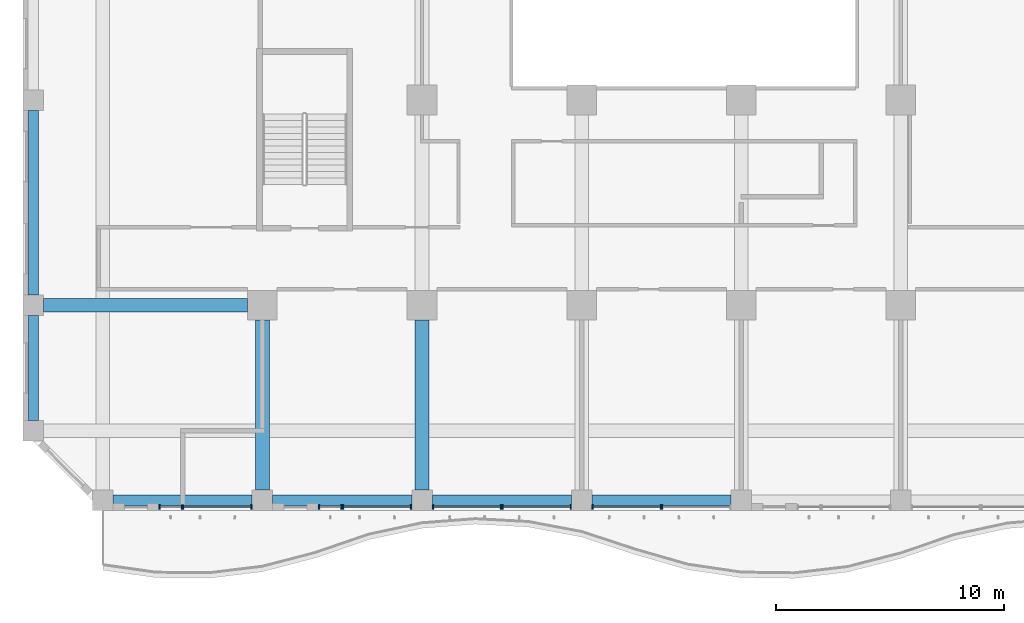
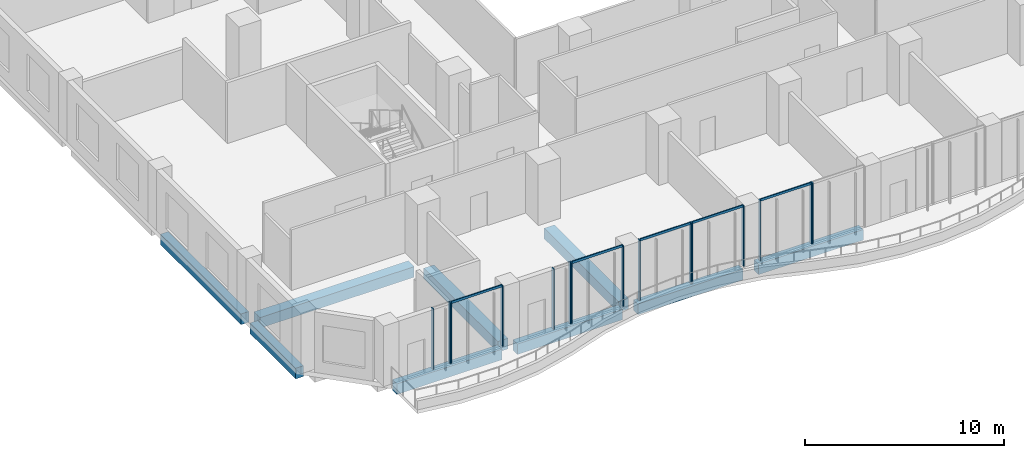
# One storey, part 2 of 27: 20 members, 9 beams, 8 elements without a shape of their own.
"""IFC4 building model written with IfcOpenShell, lengths in metres."""

from ifc_helpers import new_model, si_unit, direction, frame, origin, origin_2d, place, context, subcontext, project, spatial, rectangle, extrude, source, transform, mapped, material, material_profile, profile_set, type_object, element, aggregate, save


model = new_model("IFC4")

# Units and contexts
model_context = context("Model", 3, precision=1e-05, world=origin(), true_north=direction((0.0, 1.0)))
body_context = subcontext(model_context, "Body", "Model", "MODEL_VIEW")
ifc_project = project(units=[si_unit("LENGTHUNIT", "METRE"), si_unit("AREAUNIT", "SQUARE_METRE"), si_unit("VOLUMEUNIT", "CUBIC_METRE"), si_unit("PLANEANGLEUNIT", "RADIAN"), si_unit("MASSUNIT", "GRAM", prefix="KILO")], contexts=[model_context])

# Site, building, storey
site_placement = place(None, origin())
site = spatial("IfcSite", under=ifc_project, at=site_placement, CompositionType="ELEMENT")
building_placement = place(site_placement, origin())
building = spatial("IfcBuilding", under=site, at=building_placement, Name="Kilnfold Tower and Market Hall", CompositionType="ELEMENT")
storey_placement = place(building_placement, frame((0.0, 0.0, 51.0)))
storey = spatial("IfcBuildingStorey", under=building, at=storey_placement, Name="L11", CompositionType="ELEMENT", Elevation=51.0)

# Beams
ifc_material_1 = material(Name="Concrete C45", Category="concrete")
ifc_material_profile_1 = material_profile(ifc_material_1, rectangle(XDim=0.449951171875, YDim=0.64990234375, at=origin_2d()), Name="RC 450x650")
ifc_profile_set_1 = profile_set([ifc_material_profile_1], Name="Concrete C45")
beam_type_1 = type_object("IfcBeamType", Name="EDGE BEAM 450X650 C45", PredefinedType="BEAM", material=ifc_profile_set_1)
shared_shape_1 = source(origin(), body_context, "Body", "SweptSolid", [
    extrude(rectangle(XDim=0.449951171875, YDim=0.64990234375, at=origin_2d()), origin(), (0.0, 0.0, 1.0), 6.10009765625),
])
for number, where, z_axis, x_axis, name in (
    (1, (-24.050048828125, -27.550048828125, -0.60498046875), (1.0, 0.0, 0.0), (0.0, 1.0, 0.0), "Beam EB650-B1.1"),
    (2, (-17.050048828125, -27.550048828125, -0.60498046875), (1.0, 0.0, 0.0), (0.0, 1.0, 0.0), "Beam EB650-B1.54"),
    (3, (-10.050048828125, -27.550048828125, -0.60498046875), (1.0, 0.0, 0.0), (0.0, 1.0, 0.0), "Beam EB650-B1.2"),
    (4, (-3.050048828125, -27.550048828125, -0.60498046875), (1.0, 0.0, 0.0), (0.0, 1.0, 0.0), "Beam EB650-B1.3"),
):
    element("IfcBeam", number, at=place(storey_placement, frame(where, z_axis=z_axis, x_axis=x_axis)), inside=storey, type_object=beam_type_1, Name=name, PredefinedType="BEAM", context=body_context, shape_type="MappedRepresentation", body=[
        mapped(shared_shape_1, transform((0.0, 0.0, 0.0))),
    ])
ifc_material_2 = material(Name="Concrete C45", Category="concrete")
ifc_material_profile_2 = material_profile(ifc_material_2, rectangle(XDim=0.60009765625, YDim=0.64990234375, at=origin_2d()), Name="RC 600x650")
ifc_profile_set_2 = profile_set([ifc_material_profile_2], Name="Concrete C45")
beam_type_2 = type_object("IfcBeamType", Name="BEAM 600X650 C45", PredefinedType="BEAM", material=ifc_profile_set_2)
shared_shape_2 = source(origin(), body_context, "Body", "SweptSolid", [
    extrude(rectangle(XDim=0.60009765625, YDim=0.64990234375, at=origin_2d()), origin(), (0.0, 0.0, 1.0), 8.9501953125),
])
beam_1_placement = place(storey_placement, frame((-27.10009765625, -19.0, -0.60498046875), z_axis=(1.0, 0.0, 0.0), x_axis=(0.0, 1.0, 0.0)))
element("IfcBeam", 5, at=beam_1_placement, inside=storey, type_object=beam_type_2, Name="Beam BB650-B1.7", PredefinedType="BEAM", context=body_context, shape_type="MappedRepresentation", body=[
    mapped(shared_shape_2, transform((0.0, 0.0, 0.0))),
])
shared_shape_3 = source(origin(), body_context, "Body", "SweptSolid", [
    extrude(rectangle(XDim=0.449951171875, YDim=0.64990234375, at=origin_2d()), origin(), (0.0, 0.0, 1.0), 4.60009765625),
])
beam_2_placement = place(storey_placement, frame((-27.550048828125, -24.050048828125, -0.60498046875), z_axis=(0.0, 1.0, 0.0), x_axis=(-1.0, 0.0, 0.0)))
element("IfcBeam", 6, at=beam_2_placement, inside=storey, type_object=beam_type_1, Name="Beam EB650-B1.30", PredefinedType="BEAM", context=body_context, shape_type="MappedRepresentation", body=[
    mapped(shared_shape_3, transform((0.0, 0.0, 0.0))),
])
shared_shape_4 = source(origin(), body_context, "Body", "SweptSolid", [
    extrude(rectangle(XDim=0.449951171875, YDim=0.64990234375, at=origin_2d()), origin(), (0.0, 0.0, 1.0), 8.10009765625),
])
beam_3_placement = place(storey_placement, frame((-27.550048828125, -18.550048828125, -0.60498046875), z_axis=(0.0, 1.0, 0.0), x_axis=(-1.0, 0.0, 0.0)))
element("IfcBeam", 7, at=beam_3_placement, inside=storey, type_object=beam_type_1, Name="Beam EB650-B1.31", PredefinedType="BEAM", context=body_context, shape_type="MappedRepresentation", body=[
    mapped(shared_shape_4, transform((0.0, 0.0, 0.0))),
])
shared_shape_5 = source(origin(), body_context, "Body", "SweptSolid", [
    extrude(rectangle(XDim=0.60009765625, YDim=0.64990234375, at=origin_2d()), origin(), (0.0, 0.0, 1.0), 7.4501953125),
])
for number, where, z_axis, x_axis, name in (
    (8, (-17.5, -27.10009765625, -0.60498046875), (0.0, 1.0, 0.0), (-1.0, 0.0, 0.0), "Beam BB650-B1.36"),
    (9, (-10.5, -27.10009765625, -0.60498046875), (0.0, 1.0, 0.0), (-1.0, 0.0, 0.0), "Beam BB650-B1.40"),
):
    element("IfcBeam", number, at=place(storey_placement, frame(where, z_axis=z_axis, x_axis=x_axis)), inside=storey, type_object=beam_type_2, Name=name, PredefinedType="BEAM", context=body_context, shape_type="MappedRepresentation", body=[
        mapped(shared_shape_5, transform((0.0, 0.0, 0.0))),
    ])

# Curtain wall, members
ifc_material_3 = material(Name="Aluminium and double glazing", Category="aluminium")
curtain_wall_type = type_object("IfcCurtainWallType", Name="CW OF1 VALLEY GLAZING", PredefinedType="NOTDEFINED", material=ifc_material_3)
curtain_wall_1_placement = place(storey_placement, origin())
curtain_wall_1 = element("IfcCurtainWall", 10, at=curtain_wall_1_placement, inside=storey, type_object=curtain_wall_type, Name="Curtain wall CW1 L11 S", PredefinedType="NOTDEFINED")
ifc_material_4 = material(Name="Aluminium", Category="aluminium")
ifc_material_profile_3 = material_profile(ifc_material_4, rectangle(XDim=0.06005859375, YDim=0.179931640625, at=origin_2d()), Name="MULLION 60x180")
ifc_profile_set_3 = profile_set([ifc_material_profile_3], Name="Aluminium")
member_type_1 = type_object("IfcMemberType", Name="MULLION 60X180", PredefinedType="MULLION", material=ifc_profile_set_3)
shared_shape_6 = source(origin(), body_context, "Body", "SweptSolid", [
    extrude(rectangle(XDim=0.06005859375, YDim=0.179931640625, at=origin_2d()), origin(), (0.0, 0.0, 1.0), 3.719970703125),
])
member_1_placement = place(storey_placement, frame((-22.02001953125, -27.85009765625, 0.0), z_axis=(0.0, 0.0, 1.0), x_axis=(1.0, 0.0, 0.0)))
member_1 = element("IfcMember", 11, at=member_1_placement, type_object=member_type_1, Name="CW1 mullion 1", PredefinedType="MULLION", context=body_context, shape_type="MappedRepresentation", body=[
    mapped(shared_shape_6, transform((0.0, 0.0, 0.0))),
])
member_2_placement = place(storey_placement, frame((-21.030029296875, -27.85009765625, 0.0), z_axis=(0.0, 0.0, 1.0), x_axis=(1.0, 0.0, 0.0)))
member_2 = element("IfcMember", 12, at=member_2_placement, type_object=member_type_1, Name="CW1 mullion 2", PredefinedType="MULLION", context=body_context, shape_type="MappedRepresentation", body=[
    mapped(shared_shape_6, transform((0.0, 0.0, 0.0))),
])
aggregate(curtain_wall_1, [member_1, member_2])

curtain_wall_2_placement = place(storey_placement, origin())
curtain_wall_2 = element("IfcCurtainWall", 13, at=curtain_wall_2_placement, inside=storey, type_object=curtain_wall_type, Name="Curtain wall CW1 L11 S", PredefinedType="NOTDEFINED")
member_3_placement = place(storey_placement, frame((-20.969970703125, -27.85009765625, 0.0), z_axis=(0.0, 0.0, 1.0), x_axis=(1.0, 0.0, 0.0)))
member_3 = element("IfcMember", 14, at=member_3_placement, type_object=member_type_1, Name="CW1 mullion 1", PredefinedType="MULLION", context=body_context, shape_type="MappedRepresentation", body=[
    mapped(shared_shape_6, transform((0.0, 0.0, 0.0))),
])
member_4_placement = place(storey_placement, frame((-17.97998046875, -27.85009765625, 0.0), z_axis=(0.0, 0.0, 1.0), x_axis=(1.0, 0.0, 0.0)))
member_4 = element("IfcMember", 15, at=member_4_placement, type_object=member_type_1, Name="CW1 mullion 2", PredefinedType="MULLION", context=body_context, shape_type="MappedRepresentation", body=[
    mapped(shared_shape_6, transform((0.0, 0.0, 0.0))),
])

curtain_wall_3_placement = place(storey_placement, origin())
curtain_wall_3 = element("IfcCurtainWall", 16, at=curtain_wall_3_placement, inside=storey, type_object=curtain_wall_type, Name="Curtain wall CW1 L11 S", PredefinedType="NOTDEFINED")
member_5_placement = place(storey_placement, frame((-15.02001953125, -27.85009765625, 0.0), z_axis=(0.0, 0.0, 1.0), x_axis=(1.0, 0.0, 0.0)))
member_5 = element("IfcMember", 17, at=member_5_placement, type_object=member_type_1, Name="CW1 mullion 1", PredefinedType="MULLION", context=body_context, shape_type="MappedRepresentation", body=[
    mapped(shared_shape_6, transform((0.0, 0.0, 0.0))),
])
member_6_placement = place(storey_placement, frame((-14.030029296875, -27.85009765625, 0.0), z_axis=(0.0, 0.0, 1.0), x_axis=(1.0, 0.0, 0.0)))
member_6 = element("IfcMember", 18, at=member_6_placement, type_object=member_type_1, Name="CW1 mullion 2", PredefinedType="MULLION", context=body_context, shape_type="MappedRepresentation", body=[
    mapped(shared_shape_6, transform((0.0, 0.0, 0.0))),
])
aggregate(curtain_wall_3, [member_5, member_6])

curtain_wall_4_placement = place(storey_placement, origin())
curtain_wall_4 = element("IfcCurtainWall", 19, at=curtain_wall_4_placement, inside=storey, type_object=curtain_wall_type, Name="Curtain wall CW1 L11 S", PredefinedType="NOTDEFINED")
member_7_placement = place(storey_placement, frame((-13.969970703125, -27.85009765625, 0.0), z_axis=(0.0, 0.0, 1.0), x_axis=(1.0, 0.0, 0.0)))
member_7 = element("IfcMember", 20, at=member_7_placement, type_object=member_type_1, Name="CW1 mullion 1", PredefinedType="MULLION", context=body_context, shape_type="MappedRepresentation", body=[
    mapped(shared_shape_6, transform((0.0, 0.0, 0.0))),
])
member_8_placement = place(storey_placement, frame((-10.97998046875, -27.85009765625, 0.0), z_axis=(0.0, 0.0, 1.0), x_axis=(1.0, 0.0, 0.0)))
member_8 = element("IfcMember", 21, at=member_8_placement, type_object=member_type_1, Name="CW1 mullion 2", PredefinedType="MULLION", context=body_context, shape_type="MappedRepresentation", body=[
    mapped(shared_shape_6, transform((0.0, 0.0, 0.0))),
])

curtain_wall_5_placement = place(storey_placement, origin())
curtain_wall_5 = element("IfcCurtainWall", 22, at=curtain_wall_5_placement, inside=storey, type_object=curtain_wall_type, Name="Curtain wall CW1 L11 S", PredefinedType="NOTDEFINED")
member_9_placement = place(storey_placement, frame((-10.02001953125, -27.85009765625, 0.0), z_axis=(0.0, 0.0, 1.0), x_axis=(1.0, 0.0, 0.0)))
member_9 = element("IfcMember", 23, at=member_9_placement, type_object=member_type_1, Name="CW1 mullion 1", PredefinedType="MULLION", context=body_context, shape_type="MappedRepresentation", body=[
    mapped(shared_shape_6, transform((0.0, 0.0, 0.0))),
])
member_10_placement = place(storey_placement, frame((-7.030029296875, -27.85009765625, 0.0), z_axis=(0.0, 0.0, 1.0), x_axis=(1.0, 0.0, 0.0)))
member_10 = element("IfcMember", 24, at=member_10_placement, type_object=member_type_1, Name="CW1 mullion 2", PredefinedType="MULLION", context=body_context, shape_type="MappedRepresentation", body=[
    mapped(shared_shape_6, transform((0.0, 0.0, 0.0))),
])

curtain_wall_6_placement = place(storey_placement, origin())
curtain_wall_6 = element("IfcCurtainWall", 25, at=curtain_wall_6_placement, inside=storey, type_object=curtain_wall_type, Name="Curtain wall CW1 L11 S", PredefinedType="NOTDEFINED")
member_11_placement = place(storey_placement, frame((-6.969970703125, -27.85009765625, 0.0), z_axis=(0.0, 0.0, 1.0), x_axis=(1.0, 0.0, 0.0)))
member_11 = element("IfcMember", 26, at=member_11_placement, type_object=member_type_1, Name="CW1 mullion 1", PredefinedType="MULLION", context=body_context, shape_type="MappedRepresentation", body=[
    mapped(shared_shape_6, transform((0.0, 0.0, 0.0))),
])
member_12_placement = place(storey_placement, frame((-3.97998046875, -27.85009765625, 0.0), z_axis=(0.0, 0.0, 1.0), x_axis=(1.0, 0.0, 0.0)))
member_12 = element("IfcMember", 27, at=member_12_placement, type_object=member_type_1, Name="CW1 mullion 2", PredefinedType="MULLION", context=body_context, shape_type="MappedRepresentation", body=[
    mapped(shared_shape_6, transform((0.0, 0.0, 0.0))),
])

curtain_wall_7_placement = place(storey_placement, origin())
curtain_wall_7 = element("IfcCurtainWall", 28, at=curtain_wall_7_placement, inside=storey, type_object=curtain_wall_type, Name="Curtain wall CW1 L11 S", PredefinedType="NOTDEFINED")
member_13_placement = place(storey_placement, frame((-3.02001953125, -27.85009765625, 0.0), z_axis=(0.0, 0.0, 1.0), x_axis=(1.0, 0.0, 0.0)))
member_13 = element("IfcMember", 29, at=member_13_placement, type_object=member_type_1, Name="CW1 mullion 1", PredefinedType="MULLION", context=body_context, shape_type="MappedRepresentation", body=[
    mapped(shared_shape_6, transform((0.0, 0.0, 0.0))),
])
member_14_placement = place(storey_placement, frame((-0.030029296875, -27.85009765625, 0.0), z_axis=(0.0, 0.0, 1.0), x_axis=(1.0, 0.0, 0.0)))
member_14 = element("IfcMember", 30, at=member_14_placement, type_object=member_type_1, Name="CW1 mullion 2", PredefinedType="MULLION", context=body_context, shape_type="MappedRepresentation", body=[
    mapped(shared_shape_6, transform((0.0, 0.0, 0.0))),
])

# Curtain wall, member
curtain_wall_8_placement = place(storey_placement, origin())
curtain_wall_8 = element("IfcCurtainWall", 31, at=curtain_wall_8_placement, inside=storey, type_object=curtain_wall_type, Name="Curtain wall CW1 L11 S", PredefinedType="NOTDEFINED")
member_15_placement = place(storey_placement, frame((0.030029296875, -27.85009765625, 0.0), z_axis=(0.0, 0.0, 1.0), x_axis=(1.0, 0.0, 0.0)))
member_15 = element("IfcMember", 32, at=member_15_placement, type_object=member_type_1, Name="CW1 mullion 1", PredefinedType="MULLION", context=body_context, shape_type="MappedRepresentation", body=[
    mapped(shared_shape_6, transform((0.0, 0.0, 0.0))),
])
aggregate(curtain_wall_8, [member_15])

# Member
ifc_material_5 = material(Name="Aluminium", Category="aluminium")
ifc_material_profile_4 = material_profile(ifc_material_5, rectangle(XDim=0.06005859375, YDim=0.139892578125, at=origin_2d()), Name="TRANSOM 60x140")
ifc_profile_set_4 = profile_set([ifc_material_profile_4], Name="Aluminium")
member_type_2 = type_object("IfcMemberType", Name="TRANSOM 60X140", PredefinedType="USERDEFINED", material=ifc_profile_set_4)
shared_shape_7 = source(origin(), body_context, "Body", "SweptSolid", [
    extrude(rectangle(XDim=0.06005859375, YDim=0.139892578125, at=origin_2d()), origin(), (0.0, 0.0, 1.0), 2.929931640625),
])
member_16_placement = place(storey_placement, frame((-20.93994140625, -27.85009765625, 3.68994140625), z_axis=(1.0, 0.0, 0.0), x_axis=(0.0, 1.0, 0.0)))
member_16 = element("IfcMember", 33, at=member_16_placement, type_object=member_type_2, Name="CW1 transom 1.2", ObjectType="TRANSOM", PredefinedType="USERDEFINED", context=body_context, shape_type="MappedRepresentation", body=[
    mapped(shared_shape_7, transform((0.0, 0.0, 0.0))),
])

aggregate(curtain_wall_2, [member_3, member_4, member_16])

member_17_placement = place(storey_placement, frame((-13.93994140625, -27.85009765625, 3.68994140625), z_axis=(1.0, 0.0, 0.0), x_axis=(0.0, 1.0, 0.0)))
member_17 = element("IfcMember", 34, at=member_17_placement, type_object=member_type_2, Name="CW1 transom 1.2", ObjectType="TRANSOM", PredefinedType="USERDEFINED", context=body_context, shape_type="MappedRepresentation", body=[
    mapped(shared_shape_7, transform((0.0, 0.0, 0.0))),
])

aggregate(curtain_wall_4, [member_7, member_8, member_17])

member_18_placement = place(storey_placement, frame((-9.989990234375, -27.85009765625, 3.68994140625), z_axis=(1.0, 0.0, 0.0), x_axis=(0.0, 1.0, 0.0)))
member_18 = element("IfcMember", 35, at=member_18_placement, type_object=member_type_2, Name="CW1 transom 1.2", ObjectType="TRANSOM", PredefinedType="USERDEFINED", context=body_context, shape_type="MappedRepresentation", body=[
    mapped(shared_shape_7, transform((0.0, 0.0, 0.0))),
])

aggregate(curtain_wall_5, [member_9, member_10, member_18])

member_19_placement = place(storey_placement, frame((-6.93994140625, -27.85009765625, 3.68994140625), z_axis=(1.0, 0.0, 0.0), x_axis=(0.0, 1.0, 0.0)))
member_19 = element("IfcMember", 36, at=member_19_placement, type_object=member_type_2, Name="CW1 transom 1.2", ObjectType="TRANSOM", PredefinedType="USERDEFINED", context=body_context, shape_type="MappedRepresentation", body=[
    mapped(shared_shape_7, transform((0.0, 0.0, 0.0))),
])

aggregate(curtain_wall_6, [member_11, member_12, member_19])

member_20_placement = place(storey_placement, frame((-2.989990234375, -27.85009765625, 3.68994140625), z_axis=(1.0, 0.0, 0.0), x_axis=(0.0, 1.0, 0.0)))
member_20 = element("IfcMember", 37, at=member_20_placement, type_object=member_type_2, Name="CW1 transom 1.2", ObjectType="TRANSOM", PredefinedType="USERDEFINED", context=body_context, shape_type="MappedRepresentation", body=[
    mapped(shared_shape_7, transform((0.0, 0.0, 0.0))),
])

aggregate(curtain_wall_7, [member_13, member_14, member_20])

save(model, "model.ifc")
